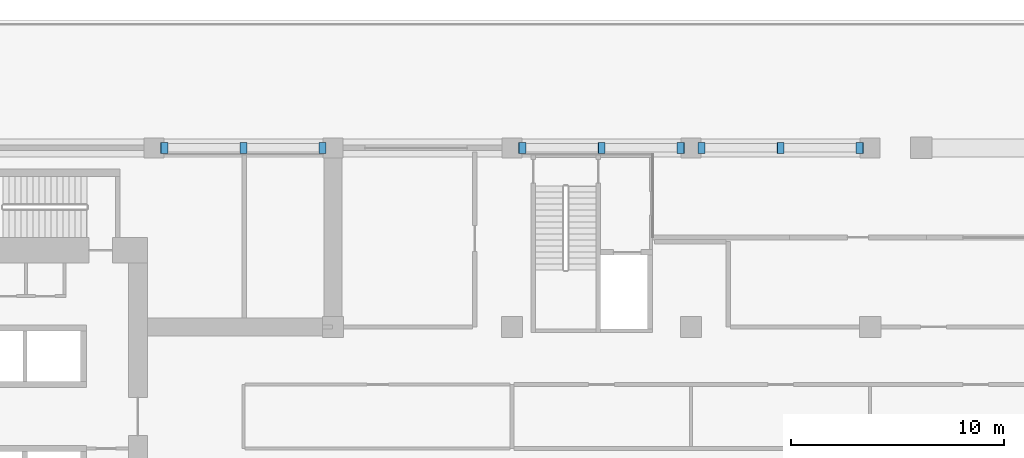
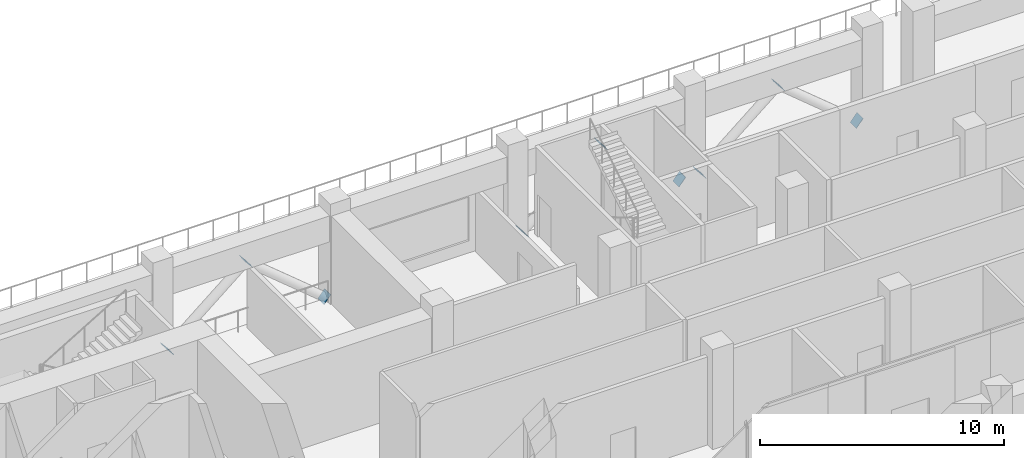
# One storey, part 11 of 19: 9 discrete accessories.
"""IFC4 building model written with IfcOpenShell, lengths in metres."""

from ifc_helpers import new_model, si_unit, direction, frame, origin, origin_2d, place, context, subcontext, project, spatial, rectangle, extrude, material, material_profile, profile_set, type_object, element, save


model = new_model("IFC4")

# Units and contexts
model_context = context("Model", 3, precision=1e-05, world=origin(), true_north=direction((0.0, 1.0)))
body_context = subcontext(model_context, "Body", "Model", "MODEL_VIEW")
ifc_project = project(units=[si_unit("LENGTHUNIT", "METRE"), si_unit("AREAUNIT", "SQUARE_METRE"), si_unit("VOLUMEUNIT", "CUBIC_METRE"), si_unit("PLANEANGLEUNIT", "RADIAN"), si_unit("MASSUNIT", "GRAM", prefix="KILO")], contexts=[model_context])

# Site, building, storey
site_placement = place(None, origin())
site = spatial("IfcSite", under=ifc_project, at=site_placement, CompositionType="ELEMENT")
building_placement = place(site_placement, origin())
building = spatial("IfcBuilding", under=site, at=building_placement, Name="Kawkab Arch Medical Tower", CompositionType="ELEMENT")
storey_placement = place(building_placement, frame((0.0, 0.0, 153.39990234375)))
storey = spatial("IfcBuildingStorey", under=building, at=storey_placement, Name="L35", CompositionType="ELEMENT", Elevation=153.39990234375)

# Discrete accessories
ifc_material = material(Name="Steel S355", Category="steel")
ifc_material_profile = material_profile(ifc_material, rectangle(XDim=0.506103515625, YDim=0.506103515625, at=origin_2d()), Name="End plate 506 x 20")
ifc_profile_set = profile_set([ifc_material_profile], Name="Steel S355")
discrete_accessory_type = type_object("IfcDiscreteAccessoryType", Name="End plate 506 x 20", PredefinedType="ANCHORPLATE", material=ifc_profile_set)
for number, where, z_axis, x_axis, name in (
    (1, (29.392333984375, 0.0, 3.175048828125), (0.771223025002, 0.0, 0.63656503651), (0.0, 1.0, 0.0), "End plate BT3"),
    (2, (46.1923828125, 0.0, 3.175048828125), (0.771223025002, 0.0, 0.63656503651), (0.0, 1.0, 0.0), "End plate BT3"),
    (3, (54.59228515625, 0.0, 3.175048828125), (0.771223025002, 0.0, 0.63656503651), (0.0, 1.0, 0.0), "End plate BT3"),
    (4, (25.6904296875, 0.0, 0.10498046875), (-0.771223025002, 0.0, -0.63656503651), (0.0, -1.0, 0.0), "End plate BT3"),
    (5, (33.109619140625, 0.0, 0.10498046875), (0.771223025002, 0.0, -0.63656503651), (0.0, 1.0, 0.0), "End plate BT3"),
    (6, (42.490478515625, 0.0, 0.10498046875), (-0.771223025002, 0.0, -0.63656503651), (0.0, -1.0, 0.0), "End plate BT3"),
    (7, (49.90966796875, 0.0, 0.10498046875), (0.771223025002, 0.0, -0.63656503651), (0.0, 1.0, 0.0), "End plate BT3"),
    (8, (50.890380859375, 0.0, 0.10498046875), (-0.771223025002, 0.0, -0.63656503651), (0.0, -1.0, 0.0), "End plate BT3"),
    (9, (58.3095703125, 0.0, 0.10498046875), (0.771223025002, 0.0, -0.63656503651), (0.0, 1.0, 0.0), "End plate BT3"),
):
    element("IfcDiscreteAccessory", number, at=place(storey_placement, frame(where, z_axis=z_axis, x_axis=x_axis)), inside=storey, type_object=discrete_accessory_type, Name=name, PredefinedType="ANCHORPLATE", context=body_context, shape_type="SweptSolid", body=[
        extrude(rectangle(XDim=0.506103515625, YDim=0.506103515625, at=origin_2d()), origin(), (0.0, 0.0, 1.0), 0.02001953125),
    ])

save(model, "model.ifc")
